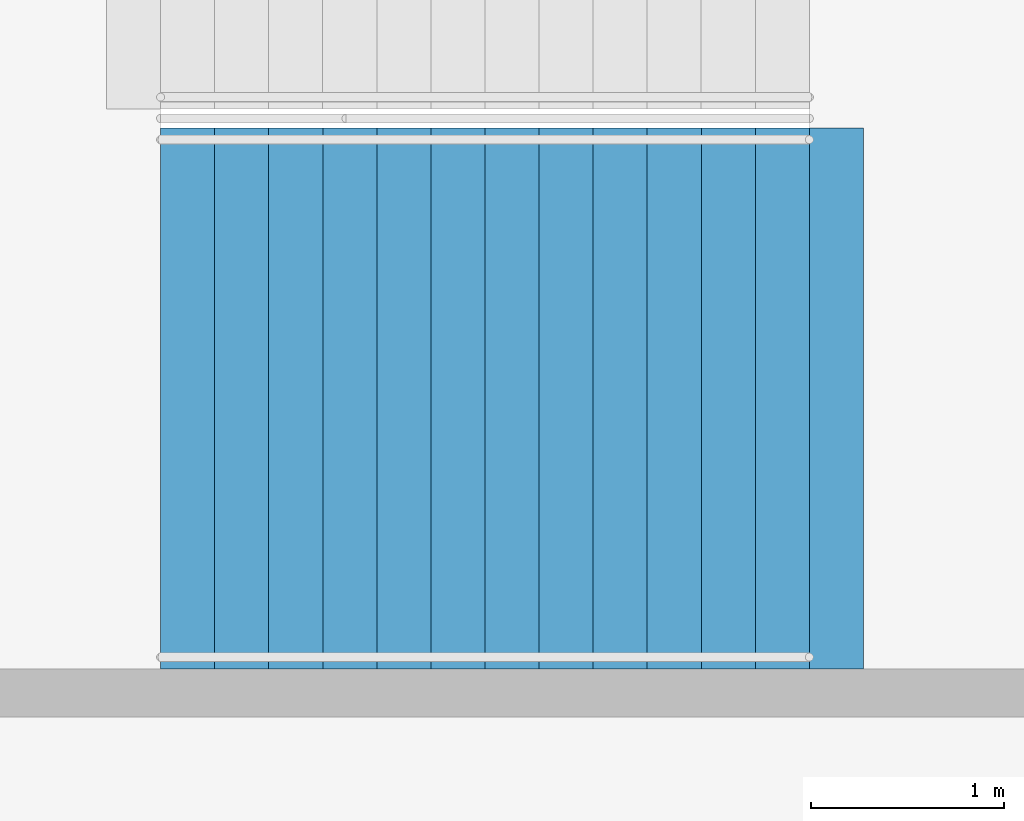
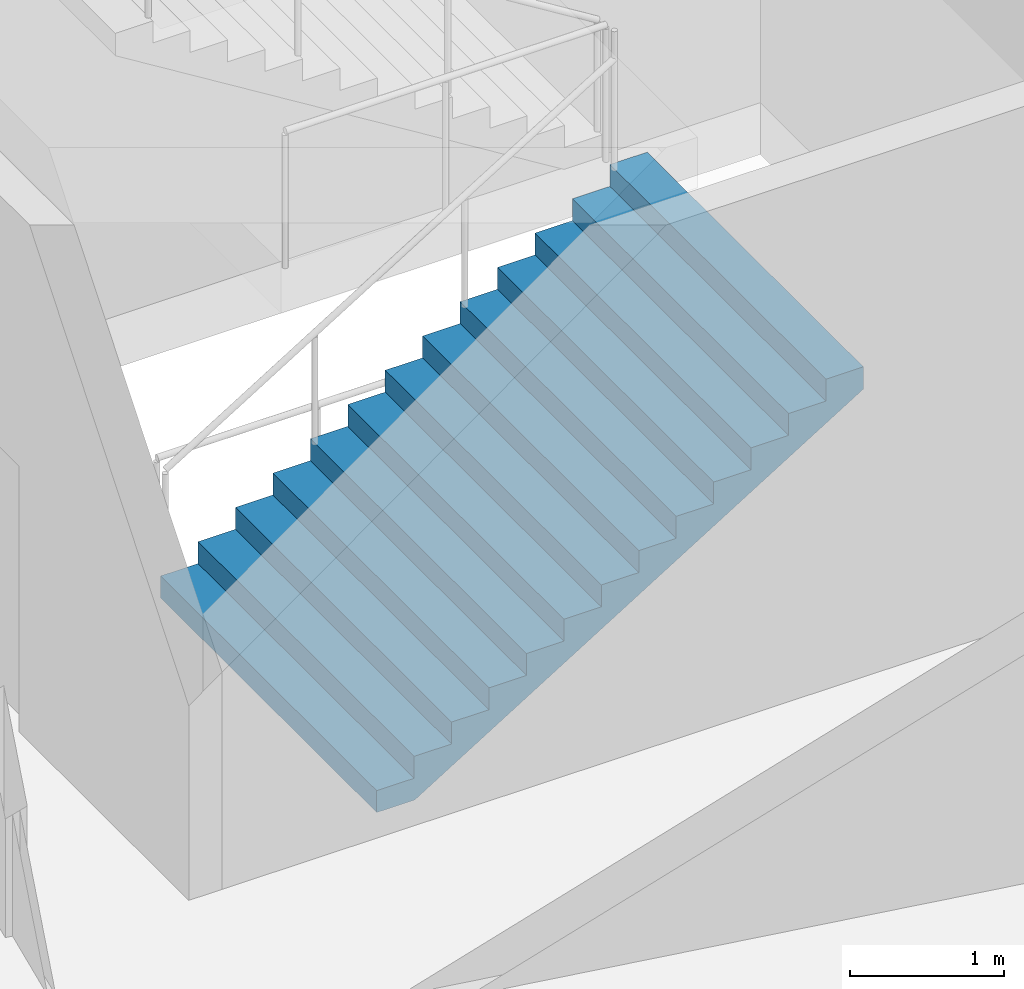
# One storey, part 141 of 199: 1 stair flight, 1 element without a shape of its own.
"""IFC4 building model written with IfcOpenShell, lengths in metres."""

import ifcopenshell
import ifcopenshell.guid

model = None  # the IFC model being written
_history = None  # IfcOwnerHistory: only IFC2X3 demands one
_inside = {}  # id of a spatial element -> (the spatial element, [elements in it])
_under = {}  # id of a project, library or spatial element -> (it, [spatial elements below it])
_declared = {}  # id of a project -> (the project, [libraries it declares])
_typed = {}  # id of a type object -> (the type object, [elements of that type])
_made_of = {}  # id of a material, layer set ... -> (it, [elements and type objects made of it])


def new_model(schema):
    """Start an empty IFC model of exactly this schema.

    Asked for "IFC4X3", IfcOpenShell would pick the latest addendum, in which some entities
    have other attributes; the version numbers below select the first issue.
    IFC2X3 requires an IfcOwnerHistory on every rooted entity: one is made here for all.
    """
    global model, _history
    if schema == "IFC4X3":
        model = ifcopenshell.file(schema_version=(4, 3, 0, 0))
    else:
        model = ifcopenshell.file(schema=schema)
    _inside.clear()
    _under.clear()
    _declared.clear()
    _typed.clear()
    _made_of.clear()
    _history = None
    if model.schema == "IFC2X3":
        org = make("IfcOrganization", Name="unknown")
        user = make(
            "IfcPersonAndOrganization",
            ThePerson=make("IfcPerson", FamilyName="unknown"),
            TheOrganization=org,
        )
        app = make(
            "IfcApplication",
            ApplicationDeveloper=org,
            Version="unknown",
            ApplicationFullName="unknown",
            ApplicationIdentifier="unknown",
        )
        _history = make(
            "IfcOwnerHistory",
            OwningUser=user,
            OwningApplication=app,
            ChangeAction="ADDED",
            CreationDate=0,
        )
    return model


def make(cls, **values):
    """One entity of the class cls with the attributes given. An attribute that is None is left unset."""
    return model.create_entity(
        cls, **{name: value for name, value in values.items() if value is not None}
    )


def rooted(cls, **values):
    """An entity with a GlobalId (a new one), such as an element, a storey or a relation."""
    return make(cls, GlobalId=ifcopenshell.guid.new(), OwnerHistory=_history, **values)


def si_unit(unit_type, name, prefix=None):
    """IfcSIUnit, for example si_unit("LENGTHUNIT", "METRE", prefix="MILLI")."""
    return make("IfcSIUnit", UnitType=unit_type, Prefix=prefix, Name=name)


def assignment(units):
    """IfcUnitAssignment: the units of a project."""
    return None if units is None else make("IfcUnitAssignment", Units=units)


def point(xyz):
    """IfcCartesianPoint."""
    return None if xyz is None else make("IfcCartesianPoint", Coordinates=xyz)


def direction(xyz):
    """IfcDirection."""
    return None if xyz is None else make("IfcDirection", DirectionRatios=xyz)


def frame(location, z_axis=None, x_axis=None):
    """IfcAxis2Placement3D, a coordinate frame: its origin and axes. An axis left out is left unset."""
    return make(
        "IfcAxis2Placement3D",
        Location=point(location),
        Axis=direction(z_axis),
        RefDirection=direction(x_axis),
    )


def origin():
    """The frame at (0, 0, 0) with its axes left unset."""
    return frame((0.0, 0.0, 0.0))


def place(relative_to, where):
    """IfcLocalPlacement: puts the frame where relative to a parent placement (None: the world)."""
    return make(
        "IfcLocalPlacement", PlacementRelTo=relative_to, RelativePlacement=where
    )


def context(
    kind, dimensions, precision=None, world=None, true_north=None, identifier=None
):
    """IfcGeometricRepresentationContext, for example the 3D "Model" context."""
    return make(
        "IfcGeometricRepresentationContext",
        ContextIdentifier=identifier,
        ContextType=kind,
        CoordinateSpaceDimension=dimensions,
        Precision=precision,
        WorldCoordinateSystem=world,
        TrueNorth=true_north,
    )


def subcontext(parent, identifier, kind, view, scale=None):
    """IfcGeometricRepresentationSubContext, for example "Body" below "Model"."""
    return make(
        "IfcGeometricRepresentationSubContext",
        ContextIdentifier=identifier,
        ContextType=kind,
        ParentContext=parent,
        TargetScale=scale,
        TargetView=view,
    )


def project(units=None, contexts=None):
    """IfcProject with its units and contexts."""
    return rooted(
        "IfcProject",
        Name="project",
        RepresentationContexts=contexts,
        UnitsInContext=assignment(units),
    )


def spatial(cls, under=None, at=None, **own):
    """A site, building, storey or space (cls), placed at a placement, below another one or the project."""
    s = rooted(cls, ObjectPlacement=at, **own)
    if under is not None:
        _under.setdefault(under.id(), (under, []))[1].append(s)
    return s


def faces_of(points, faces, orient=None, outer=None):
    """IfcFace entities. A face is a list of loops; a loop is a list of indices into points, from 0.

    orient and outer hold one flag for each loop. By default every Orientation is true, the
    first loop of a face is its IfcFaceOuterBound and the others are IfcFaceBound.
    """
    made = []
    for i, loops in enumerate(faces):
        bounds = []
        for j, loop in enumerate(loops):
            is_outer = j == 0 if outer is None else outer[i][j]
            bounds.append(
                make(
                    "IfcFaceOuterBound" if is_outer else "IfcFaceBound",
                    Bound=make("IfcPolyLoop", Polygon=[points[k] for k in loop]),
                    Orientation=True if orient is None else orient[i][j],
                )
            )
        made.append(make("IfcFace", Bounds=bounds))
    return made


def faceted_brep(points, faces, orient=None, outer=None, voids=None):
    """IfcFacetedBrep: a solid bounded by flat faces; with voids (closed shells), ...WithVoids."""
    shared = [point(p) for p in points]
    hull = make("IfcClosedShell", CfsFaces=faces_of(shared, faces, orient, outer))
    if voids is None:
        return make("IfcFacetedBrep", Outer=hull)
    return make(
        "IfcFacetedBrepWithVoids",
        Outer=hull,
        Voids=[
            make(cls, CfsFaces=faces_of(shared, fs, o, b)) for cls, fs, o, b in voids
        ],
    )


def shape(context_of_items, identifier, shape_type, items):
    """IfcShapeRepresentation: the items that make up one representation, for example the "Body"."""
    return make(
        "IfcShapeRepresentation",
        ContextOfItems=context_of_items,
        RepresentationIdentifier=identifier,
        RepresentationType=shape_type,
        Items=items,
    )


def material(Name=None, Category=None):
    """IfcMaterial."""
    return make("IfcMaterial", Name=Name, Category=Category)


def made_of(thing, what):
    """Note that an element or type object is made of a material, layer set ...; save() writes the relation."""
    if what is not None:
        _made_of.setdefault(what.id(), (what, []))[1].append(thing)
    return thing


def type_object(cls, material=None, **own):
    """A type object (cls), such as IfcWallType, which elements share."""
    return made_of(rooted(cls, **own), material)


def element(
    cls,
    number,
    at=None,
    inside=None,
    cuts=None,
    type_object=None,
    material=None,
    context=None,
    identifier="Body",
    shape_type=None,
    held_by="IfcProductDefinitionShape",
    body=None,
    shapes=None,
    **own,
):
    """One element of the class cls, such as IfcWall. Its Tag is "e" and its number.

    at: its placement. inside: the storey or other place that contains it. cuts: it is an
    opening in that element (IfcRelVoidsElement). A single representation is given by context,
    identifier, shape_type and body (its items); several are given by shapes. held_by: the class
    of the entity that holds the representations. save() writes the other relations.
    """
    e = rooted(cls, Tag="e%d" % number, ObjectPlacement=at, **own)
    if body is not None:
        shapes = [shape(context, identifier, shape_type, body)]
    if shapes is not None:
        e.Representation = make(held_by, Representations=shapes)
    if inside is not None:
        _inside.setdefault(inside.id(), (inside, []))[1].append(e)
    if cuts is not None:
        rooted(
            "IfcRelVoidsElement", RelatingBuildingElement=cuts, RelatedOpeningElement=e
        )
    if type_object is not None:
        _typed.setdefault(type_object.id(), (type_object, []))[1].append(e)
    return made_of(e, material)


def aggregate(whole, parts):
    """IfcRelAggregates: a whole, such as a stair, and the parts it consists of."""
    return rooted("IfcRelAggregates", RelatingObject=whole, RelatedObjects=parts)


def save(model, path):
    """Write the relations noted so far, then the file.

    IfcRelAggregates (storeys below a building ...), IfcRelContainedInSpatialStructure (elements
    in a storey), IfcRelDefinesByType, IfcRelAssociatesMaterial and IfcRelDeclares: one each for
    every whole, place, type object, material and project.
    """
    for whole, parts in _under.values():
        aggregate(whole, parts)
    for where, things in _inside.values():
        rooted(
            "IfcRelContainedInSpatialStructure",
            RelatedElements=things,
            RelatingStructure=where,
        )
    for kind, things in _typed.values():
        rooted("IfcRelDefinesByType", RelatedObjects=things, RelatingType=kind)
    for what, things in _made_of.values():
        rooted("IfcRelAssociatesMaterial", RelatedObjects=things, RelatingMaterial=what)
    for by, libraries in _declared.values():
        rooted("IfcRelDeclares", RelatingContext=by, RelatedDefinitions=libraries)
    model.write(path)


model = new_model("IFC4")

# Units and contexts
model_context = context("Model", 3, precision=1e-05, world=origin(), true_north=direction((0.0, 1.0)))
body_context = subcontext(model_context, "Body", "Model", "MODEL_VIEW")
ifc_project = project(units=[si_unit("LENGTHUNIT", "METRE"), si_unit("AREAUNIT", "SQUARE_METRE"), si_unit("VOLUMEUNIT", "CUBIC_METRE"), si_unit("PLANEANGLEUNIT", "RADIAN"), si_unit("MASSUNIT", "GRAM", prefix="KILO")], contexts=[model_context])

# Site, building, storey
site_placement = place(None, origin())
site = spatial("IfcSite", under=ifc_project, at=site_placement, CompositionType="ELEMENT")
building_placement = place(site_placement, origin())
building = spatial("IfcBuilding", under=site, at=building_placement, Name="Ogive Plaza Stadium", CompositionType="ELEMENT")
storey_placement = place(building_placement, frame((0.0, 0.0, 4.5)))
storey = spatial("IfcBuildingStorey", under=building, at=storey_placement, Name="L01", CompositionType="ELEMENT", Elevation=4.5)

# Stair, stair flight
ifc_material_1 = material(Name="Concrete C40/50", Category="concrete")
stair_type = type_object("IfcStairType", Name="Exit stair", PredefinedType="STRAIGHT_RUN_STAIR", material=ifc_material_1)
stair_placement = place(storey_placement, origin())
stair = element("IfcStair", 1, at=stair_placement, inside=storey, type_object=stair_type, Name="Exit stair ST08A L01 to L02", PredefinedType="STRAIGHT_RUN_STAIR")
ifc_material_2 = material(Name="Concrete C40/50", Category="concrete")
stair_flight_type = type_object("IfcStairFlightType", Name="Exit stair flight", PredefinedType="STRAIGHT", material=ifc_material_2)
stair_flight_placement = place(storey_placement, frame((76.35009765625, -56.925048828125, 0.0), z_axis=(0.0, 0.0, 1.0), x_axis=(1.0, 0.0, 0.0)))
stair_flight = element("IfcStairFlight", 2, at=stair_flight_placement, type_object=stair_flight_type, Name="ST08A flight 1", NumberOfRisers=13, NumberOfTreads=12, PredefinedType="STRAIGHT", RiserHeight=0.173076923, TreadLength=0.28, context=body_context, shape_type="Brep", body=[
    faceted_brep([(0.28515625, -1.39990234375, 0.0), (3.639892578125, -1.39990234375, 2.07373046875), (3.639892578125, -1.39990234375, 2.25), (3.360107421875, -1.39990234375, 2.25), (3.360107421875, -1.39990234375, 2.076904296875), (3.080078125, -1.39990234375, 2.076904296875), (3.080078125, -1.39990234375, 1.90380859375), (2.800048828125, -1.39990234375, 1.90380859375), (2.800048828125, -1.39990234375, 1.730712890625), (2.52001953125, -1.39990234375, 1.730712890625), (2.52001953125, -1.39990234375, 1.5576171875), (2.239990234375, -1.39990234375, 1.5576171875), (2.239990234375, -1.39990234375, 1.384521484375), (1.9599609375, -1.39990234375, 1.384521484375), (1.9599609375, -1.39990234375, 1.21142578125), (1.679931640625, -1.39990234375, 1.21142578125), (1.679931640625, -1.39990234375, 1.03857421875), (1.39990234375, -1.39990234375, 1.03857421875), (1.39990234375, -1.39990234375, 0.865478515625), (1.1201171875, -1.39990234375, 0.865478515625), (1.1201171875, -1.39990234375, 0.6923828125), (0.840087890625, -1.39990234375, 0.6923828125), (0.840087890625, -1.39990234375, 0.519287109375), (0.56005859375, -1.39990234375, 0.519287109375), (0.56005859375, -1.39990234375, 0.34619140625), (0.280029296875, -1.39990234375, 0.34619140625), (0.280029296875, -1.39990234375, 0.173095703125), (0.0, -1.39990234375, 0.173095703125), (0.0, -1.39990234375, 0.0), (0.0, 1.39990234375, 0.0), (0.0, 1.39990234375, 0.173095703125), (0.280029296875, 1.39990234375, 0.173095703125), (0.280029296875, 1.39990234375, 0.34619140625), (0.56005859375, 1.39990234375, 0.34619140625), (0.56005859375, 1.39990234375, 0.519287109375), (0.840087890625, 1.39990234375, 0.519287109375), (0.840087890625, 1.39990234375, 0.6923828125), (1.1201171875, 1.39990234375, 0.6923828125), (1.1201171875, 1.39990234375, 0.865478515625), (1.39990234375, 1.39990234375, 0.865478515625), (1.39990234375, 1.39990234375, 1.03857421875), (1.679931640625, 1.39990234375, 1.03857421875), (1.679931640625, 1.39990234375, 1.21142578125), (1.9599609375, 1.39990234375, 1.21142578125), (1.9599609375, 1.39990234375, 1.384521484375), (2.239990234375, 1.39990234375, 1.384521484375), (2.239990234375, 1.39990234375, 1.5576171875), (2.52001953125, 1.39990234375, 1.5576171875), (2.52001953125, 1.39990234375, 1.730712890625), (2.800048828125, 1.39990234375, 1.730712890625), (2.800048828125, 1.39990234375, 1.90380859375), (3.080078125, 1.39990234375, 1.90380859375), (3.080078125, 1.39990234375, 2.076904296875), (3.360107421875, 1.39990234375, 2.076904296875), (3.360107421875, 1.39990234375, 2.25), (3.639892578125, 1.39990234375, 2.25), (3.639892578125, 1.39990234375, 2.07373046875), (0.28515625, 1.39990234375, 0.0), (0.28515625, -1.0888671875, 0.0), (3.639892578125, -1.0888671875, 2.07373046875), (0.28515625, -0.77783203125, 0.0), (3.639892578125, -0.77783203125, 2.07373046875), (0.28515625, -0.466796875, 0.0), (3.639892578125, -0.466796875, 2.07373046875), (0.28515625, -0.155517578125, 0.0), (3.639892578125, -0.155517578125, 2.07373046875), (0.28515625, 0.155517578125, 0.0), (3.639892578125, 0.155517578125, 2.07373046875), (0.28515625, 0.466796875, 0.0), (3.639892578125, 0.466796875, 2.07373046875), (0.28515625, 0.77783203125, 0.0), (3.639892578125, 0.77783203125, 2.07373046875), (0.28515625, 1.0888671875, 0.0), (3.639892578125, 1.0888671875, 2.07373046875), (3.639892578125, -1.0888671875, 2.25), (3.639892578125, -0.77783203125, 2.25), (3.639892578125, -0.466796875, 2.25), (3.639892578125, -0.155517578125, 2.25), (3.639892578125, 0.155517578125, 2.25), (3.639892578125, 0.466796875, 2.25), (3.639892578125, 0.77783203125, 2.25), (3.639892578125, 1.0888671875, 2.25), (3.360107421875, -1.0888671875, 2.25), (3.360107421875, -0.77783203125, 2.25), (3.360107421875, -0.466796875, 2.25), (3.360107421875, -0.155517578125, 2.25), (3.360107421875, 0.155517578125, 2.25), (3.360107421875, 0.466796875, 2.25), (3.360107421875, 0.77783203125, 2.25), (3.360107421875, 1.0888671875, 2.25), (3.360107421875, -1.0888671875, 2.076904296875), (3.360107421875, -0.77783203125, 2.076904296875), (3.360107421875, -0.466796875, 2.076904296875), (3.360107421875, -0.155517578125, 2.076904296875), (3.360107421875, 0.155517578125, 2.076904296875), (3.360107421875, 0.466796875, 2.076904296875), (3.360107421875, 0.77783203125, 2.076904296875), (3.360107421875, 1.0888671875, 2.076904296875), (3.080078125, -1.0888671875, 2.076904296875), (3.080078125, -0.77783203125, 2.076904296875), (3.080078125, -0.466796875, 2.076904296875), (3.080078125, -0.155517578125, 2.076904296875), (3.080078125, 0.155517578125, 2.076904296875), (3.080078125, 0.466796875, 2.076904296875), (3.080078125, 0.77783203125, 2.076904296875), (3.080078125, 1.0888671875, 2.076904296875), (3.080078125, -1.0888671875, 1.90380859375), (3.080078125, -0.77783203125, 1.90380859375), (3.080078125, -0.466796875, 1.90380859375), (3.080078125, -0.155517578125, 1.90380859375), (3.080078125, 0.155517578125, 1.90380859375), (3.080078125, 0.466796875, 1.90380859375), (3.080078125, 0.77783203125, 1.90380859375), (3.080078125, 1.0888671875, 1.90380859375), (2.800048828125, -1.0888671875, 1.90380859375), (2.800048828125, -0.77783203125, 1.90380859375), (2.800048828125, -0.466796875, 1.90380859375), (2.800048828125, -0.155517578125, 1.90380859375), (2.800048828125, 0.155517578125, 1.90380859375), (2.800048828125, 0.466796875, 1.90380859375), (2.800048828125, 0.77783203125, 1.90380859375), (2.800048828125, 1.0888671875, 1.90380859375), (2.800048828125, -1.0888671875, 1.730712890625), (2.800048828125, -0.77783203125, 1.730712890625), (2.800048828125, -0.466796875, 1.730712890625), (2.800048828125, -0.155517578125, 1.730712890625), (2.800048828125, 0.155517578125, 1.730712890625), (2.800048828125, 0.466796875, 1.730712890625), (2.800048828125, 0.77783203125, 1.730712890625), (2.800048828125, 1.0888671875, 1.730712890625), (2.52001953125, -1.0888671875, 1.730712890625), (2.52001953125, -0.77783203125, 1.730712890625), (2.52001953125, -0.466796875, 1.730712890625), (2.52001953125, -0.155517578125, 1.730712890625), (2.52001953125, 0.155517578125, 1.730712890625), (2.52001953125, 0.466796875, 1.730712890625), (2.52001953125, 0.77783203125, 1.730712890625), (2.52001953125, 1.0888671875, 1.730712890625), (2.52001953125, -1.0888671875, 1.5576171875), (2.52001953125, -0.77783203125, 1.5576171875), (2.52001953125, -0.466796875, 1.5576171875), (2.52001953125, -0.155517578125, 1.5576171875), (2.52001953125, 0.155517578125, 1.5576171875), (2.52001953125, 0.466796875, 1.5576171875), (2.52001953125, 0.77783203125, 1.5576171875), (2.52001953125, 1.0888671875, 1.5576171875), (2.239990234375, -1.0888671875, 1.5576171875), (2.239990234375, -0.77783203125, 1.5576171875), (2.239990234375, -0.466796875, 1.5576171875), (2.239990234375, -0.155517578125, 1.5576171875), (2.239990234375, 0.155517578125, 1.5576171875), (2.239990234375, 0.466796875, 1.5576171875), (2.239990234375, 0.77783203125, 1.5576171875), (2.239990234375, 1.0888671875, 1.5576171875), (2.239990234375, -1.0888671875, 1.384521484375), (2.239990234375, -0.77783203125, 1.384521484375), (2.239990234375, -0.466796875, 1.384521484375), (2.239990234375, -0.155517578125, 1.384521484375), (2.239990234375, 0.155517578125, 1.384521484375), (2.239990234375, 0.466796875, 1.384521484375), (2.239990234375, 0.77783203125, 1.384521484375), (2.239990234375, 1.0888671875, 1.384521484375), (1.9599609375, -1.0888671875, 1.384521484375), (1.9599609375, -0.77783203125, 1.384521484375), (1.9599609375, -0.466796875, 1.384521484375), (1.9599609375, -0.155517578125, 1.384521484375), (1.9599609375, 0.155517578125, 1.384521484375), (1.9599609375, 0.466796875, 1.384521484375), (1.9599609375, 0.77783203125, 1.384521484375), (1.9599609375, 1.0888671875, 1.384521484375), (1.9599609375, -1.0888671875, 1.21142578125), (1.9599609375, -0.77783203125, 1.21142578125), (1.9599609375, -0.466796875, 1.21142578125), (1.9599609375, -0.155517578125, 1.21142578125), (1.9599609375, 0.155517578125, 1.21142578125), (1.9599609375, 0.466796875, 1.21142578125), (1.9599609375, 0.77783203125, 1.21142578125), (1.9599609375, 1.0888671875, 1.21142578125), (1.679931640625, -1.0888671875, 1.21142578125), (1.679931640625, -0.77783203125, 1.21142578125), (1.679931640625, -0.466796875, 1.21142578125), (1.679931640625, -0.155517578125, 1.21142578125), (1.679931640625, 0.155517578125, 1.21142578125), (1.679931640625, 0.466796875, 1.21142578125), (1.679931640625, 0.77783203125, 1.21142578125), (1.679931640625, 1.0888671875, 1.21142578125), (1.679931640625, -1.0888671875, 1.03857421875), (1.679931640625, -0.77783203125, 1.03857421875), (1.679931640625, -0.466796875, 1.03857421875), (1.679931640625, -0.155517578125, 1.03857421875), (1.679931640625, 0.155517578125, 1.03857421875), (1.679931640625, 0.466796875, 1.03857421875), (1.679931640625, 0.77783203125, 1.03857421875), (1.679931640625, 1.0888671875, 1.03857421875), (1.39990234375, -1.0888671875, 1.03857421875), (1.39990234375, -0.77783203125, 1.03857421875), (1.39990234375, -0.466796875, 1.03857421875), (1.39990234375, -0.155517578125, 1.03857421875), (1.39990234375, 0.155517578125, 1.03857421875), (1.39990234375, 0.466796875, 1.03857421875), (1.39990234375, 0.77783203125, 1.03857421875), (1.39990234375, 1.0888671875, 1.03857421875), (1.39990234375, -1.0888671875, 0.865478515625), (1.39990234375, -0.77783203125, 0.865478515625), (1.39990234375, -0.466796875, 0.865478515625), (1.39990234375, -0.155517578125, 0.865478515625), (1.39990234375, 0.155517578125, 0.865478515625), (1.39990234375, 0.466796875, 0.865478515625), (1.39990234375, 0.77783203125, 0.865478515625), (1.39990234375, 1.0888671875, 0.865478515625), (1.1201171875, -1.0888671875, 0.865478515625), (1.1201171875, -0.77783203125, 0.865478515625), (1.1201171875, -0.466796875, 0.865478515625), (1.1201171875, -0.155517578125, 0.865478515625), (1.1201171875, 0.155517578125, 0.865478515625), (1.1201171875, 0.466796875, 0.865478515625), (1.1201171875, 0.77783203125, 0.865478515625), (1.1201171875, 1.0888671875, 0.865478515625), (1.1201171875, -1.0888671875, 0.6923828125), (1.1201171875, -0.77783203125, 0.6923828125), (1.1201171875, -0.466796875, 0.6923828125), (1.1201171875, -0.155517578125, 0.6923828125), (1.1201171875, 0.155517578125, 0.6923828125), (1.1201171875, 0.466796875, 0.6923828125), (1.1201171875, 0.77783203125, 0.6923828125), (1.1201171875, 1.0888671875, 0.6923828125), (0.840087890625, -1.0888671875, 0.6923828125), (0.840087890625, -0.77783203125, 0.6923828125), (0.840087890625, -0.466796875, 0.6923828125), (0.840087890625, -0.155517578125, 0.6923828125), (0.840087890625, 0.155517578125, 0.6923828125), (0.840087890625, 0.466796875, 0.6923828125), (0.840087890625, 0.77783203125, 0.6923828125), (0.840087890625, 1.0888671875, 0.6923828125), (0.840087890625, -1.0888671875, 0.519287109375), (0.840087890625, -0.77783203125, 0.519287109375), (0.840087890625, -0.466796875, 0.519287109375), (0.840087890625, -0.155517578125, 0.519287109375), (0.840087890625, 0.155517578125, 0.519287109375), (0.840087890625, 0.466796875, 0.519287109375), (0.840087890625, 0.77783203125, 0.519287109375), (0.840087890625, 1.0888671875, 0.519287109375), (0.56005859375, -1.0888671875, 0.519287109375), (0.56005859375, -0.77783203125, 0.519287109375), (0.56005859375, -0.466796875, 0.519287109375), (0.56005859375, -0.155517578125, 0.519287109375), (0.56005859375, 0.155517578125, 0.519287109375), (0.56005859375, 0.466796875, 0.519287109375), (0.56005859375, 0.77783203125, 0.519287109375), (0.56005859375, 1.0888671875, 0.519287109375), (0.56005859375, -1.0888671875, 0.34619140625), (0.56005859375, -0.77783203125, 0.34619140625), (0.56005859375, -0.466796875, 0.34619140625), (0.56005859375, -0.155517578125, 0.34619140625), (0.56005859375, 0.155517578125, 0.34619140625), (0.56005859375, 0.466796875, 0.34619140625), (0.56005859375, 0.77783203125, 0.34619140625), (0.56005859375, 1.0888671875, 0.34619140625), (0.280029296875, -1.0888671875, 0.34619140625), (0.280029296875, -0.77783203125, 0.34619140625), (0.280029296875, -0.466796875, 0.34619140625), (0.280029296875, -0.155517578125, 0.34619140625), (0.280029296875, 0.155517578125, 0.34619140625), (0.280029296875, 0.466796875, 0.34619140625), (0.280029296875, 0.77783203125, 0.34619140625), (0.280029296875, 1.0888671875, 0.34619140625), (0.280029296875, -1.0888671875, 0.173095703125), (0.280029296875, -0.77783203125, 0.173095703125), (0.280029296875, -0.466796875, 0.173095703125), (0.280029296875, -0.155517578125, 0.173095703125), (0.280029296875, 0.155517578125, 0.173095703125), (0.280029296875, 0.466796875, 0.173095703125), (0.280029296875, 0.77783203125, 0.173095703125), (0.280029296875, 1.0888671875, 0.173095703125), (0.0, -1.0888671875, 0.173095703125), (0.0, -0.77783203125, 0.173095703125), (0.0, -0.466796875, 0.173095703125), (0.0, -0.155517578125, 0.173095703125), (0.0, 0.155517578125, 0.173095703125), (0.0, 0.466796875, 0.173095703125), (0.0, 0.77783203125, 0.173095703125), (0.0, 1.0888671875, 0.173095703125), (0.0, -1.0888671875, 0.0), (0.0, -0.77783203125, 0.0), (0.0, -0.466796875, 0.0), (0.0, -0.155517578125, 0.0), (0.0, 0.155517578125, 0.0), (0.0, 0.466796875, 0.0), (0.0, 0.77783203125, 0.0), (0.0, 1.0888671875, 0.0)], [[[0, 1, 2, 3, 4, 5, 6, 7, 8, 9, 10, 11, 12, 13, 14, 15, 16, 17, 18, 19, 20, 21, 22, 23, 24, 25, 26, 27, 28]], [[29, 30, 31, 32, 33, 34, 35, 36, 37, 38, 39, 40, 41, 42, 43, 44, 45, 46, 47, 48, 49, 50, 51, 52, 53, 54, 55, 56, 57]], [[0, 58, 59, 1]], [[58, 60, 61, 59]], [[60, 62, 63, 61]], [[62, 64, 65, 63]], [[64, 66, 67, 65]], [[66, 68, 69, 67]], [[68, 70, 71, 69]], [[70, 72, 73, 71]], [[72, 57, 56, 73]], [[1, 59, 74, 2]], [[59, 61, 75, 74]], [[61, 63, 76, 75]], [[63, 65, 77, 76]], [[65, 67, 78, 77]], [[67, 69, 79, 78]], [[69, 71, 80, 79]], [[71, 73, 81, 80]], [[73, 56, 55, 81]], [[2, 74, 82, 3]], [[74, 75, 83, 82]], [[75, 76, 84, 83]], [[76, 77, 85, 84]], [[77, 78, 86, 85]], [[78, 79, 87, 86]], [[79, 80, 88, 87]], [[80, 81, 89, 88]], [[81, 55, 54, 89]], [[3, 82, 90, 4]], [[82, 83, 91, 90]], [[83, 84, 92, 91]], [[84, 85, 93, 92]], [[85, 86, 94, 93]], [[86, 87, 95, 94]], [[87, 88, 96, 95]], [[88, 89, 97, 96]], [[89, 54, 53, 97]], [[4, 90, 98, 5]], [[90, 91, 99, 98]], [[91, 92, 100, 99]], [[92, 93, 101, 100]], [[93, 94, 102, 101]], [[94, 95, 103, 102]], [[95, 96, 104, 103]], [[96, 97, 105, 104]], [[97, 53, 52, 105]], [[5, 98, 106, 6]], [[98, 99, 107, 106]], [[99, 100, 108, 107]], [[100, 101, 109, 108]], [[101, 102, 110, 109]], [[102, 103, 111, 110]], [[103, 104, 112, 111]], [[104, 105, 113, 112]], [[105, 52, 51, 113]], [[6, 106, 114, 7]], [[106, 107, 115, 114]], [[107, 108, 116, 115]], [[108, 109, 117, 116]], [[109, 110, 118, 117]], [[110, 111, 119, 118]], [[111, 112, 120, 119]], [[112, 113, 121, 120]], [[113, 51, 50, 121]], [[7, 114, 122, 8]], [[114, 115, 123, 122]], [[115, 116, 124, 123]], [[116, 117, 125, 124]], [[117, 118, 126, 125]], [[118, 119, 127, 126]], [[119, 120, 128, 127]], [[120, 121, 129, 128]], [[121, 50, 49, 129]], [[8, 122, 130, 9]], [[122, 123, 131, 130]], [[123, 124, 132, 131]], [[124, 125, 133, 132]], [[125, 126, 134, 133]], [[126, 127, 135, 134]], [[127, 128, 136, 135]], [[128, 129, 137, 136]], [[129, 49, 48, 137]], [[9, 130, 138, 10]], [[130, 131, 139, 138]], [[131, 132, 140, 139]], [[132, 133, 141, 140]], [[133, 134, 142, 141]], [[134, 135, 143, 142]], [[135, 136, 144, 143]], [[136, 137, 145, 144]], [[137, 48, 47, 145]], [[10, 138, 146, 11]], [[138, 139, 147, 146]], [[139, 140, 148, 147]], [[140, 141, 149, 148]], [[141, 142, 150, 149]], [[142, 143, 151, 150]], [[143, 144, 152, 151]], [[144, 145, 153, 152]], [[145, 47, 46, 153]], [[11, 146, 154, 12]], [[146, 147, 155, 154]], [[147, 148, 156, 155]], [[148, 149, 157, 156]], [[149, 150, 158, 157]], [[150, 151, 159, 158]], [[151, 152, 160, 159]], [[152, 153, 161, 160]], [[153, 46, 45, 161]], [[12, 154, 162, 13]], [[154, 155, 163, 162]], [[155, 156, 164, 163]], [[156, 157, 165, 164]], [[157, 158, 166, 165]], [[158, 159, 167, 166]], [[159, 160, 168, 167]], [[160, 161, 169, 168]], [[161, 45, 44, 169]], [[13, 162, 170, 14]], [[162, 163, 171, 170]], [[163, 164, 172, 171]], [[164, 165, 173, 172]], [[165, 166, 174, 173]], [[166, 167, 175, 174]], [[167, 168, 176, 175]], [[168, 169, 177, 176]], [[169, 44, 43, 177]], [[14, 170, 178, 15]], [[170, 171, 179, 178]], [[171, 172, 180, 179]], [[172, 173, 181, 180]], [[173, 174, 182, 181]], [[174, 175, 183, 182]], [[175, 176, 184, 183]], [[176, 177, 185, 184]], [[177, 43, 42, 185]], [[15, 178, 186, 16]], [[178, 179, 187, 186]], [[179, 180, 188, 187]], [[180, 181, 189, 188]], [[181, 182, 190, 189]], [[182, 183, 191, 190]], [[183, 184, 192, 191]], [[184, 185, 193, 192]], [[185, 42, 41, 193]], [[16, 186, 194, 17]], [[186, 187, 195, 194]], [[187, 188, 196, 195]], [[188, 189, 197, 196]], [[189, 190, 198, 197]], [[190, 191, 199, 198]], [[191, 192, 200, 199]], [[192, 193, 201, 200]], [[193, 41, 40, 201]], [[17, 194, 202, 18]], [[194, 195, 203, 202]], [[195, 196, 204, 203]], [[196, 197, 205, 204]], [[197, 198, 206, 205]], [[198, 199, 207, 206]], [[199, 200, 208, 207]], [[200, 201, 209, 208]], [[201, 40, 39, 209]], [[18, 202, 210, 19]], [[202, 203, 211, 210]], [[203, 204, 212, 211]], [[204, 205, 213, 212]], [[205, 206, 214, 213]], [[206, 207, 215, 214]], [[207, 208, 216, 215]], [[208, 209, 217, 216]], [[209, 39, 38, 217]], [[19, 210, 218, 20]], [[210, 211, 219, 218]], [[211, 212, 220, 219]], [[212, 213, 221, 220]], [[213, 214, 222, 221]], [[214, 215, 223, 222]], [[215, 216, 224, 223]], [[216, 217, 225, 224]], [[217, 38, 37, 225]], [[20, 218, 226, 21]], [[218, 219, 227, 226]], [[219, 220, 228, 227]], [[220, 221, 229, 228]], [[221, 222, 230, 229]], [[222, 223, 231, 230]], [[223, 224, 232, 231]], [[224, 225, 233, 232]], [[225, 37, 36, 233]], [[21, 226, 234, 22]], [[226, 227, 235, 234]], [[227, 228, 236, 235]], [[228, 229, 237, 236]], [[229, 230, 238, 237]], [[230, 231, 239, 238]], [[231, 232, 240, 239]], [[232, 233, 241, 240]], [[233, 36, 35, 241]], [[22, 234, 242, 23]], [[234, 235, 243, 242]], [[235, 236, 244, 243]], [[236, 237, 245, 244]], [[237, 238, 246, 245]], [[238, 239, 247, 246]], [[239, 240, 248, 247]], [[240, 241, 249, 248]], [[241, 35, 34, 249]], [[23, 242, 250, 24]], [[242, 243, 251, 250]], [[243, 244, 252, 251]], [[244, 245, 253, 252]], [[245, 246, 254, 253]], [[246, 247, 255, 254]], [[247, 248, 256, 255]], [[248, 249, 257, 256]], [[249, 34, 33, 257]], [[24, 250, 258, 25]], [[250, 251, 259, 258]], [[251, 252, 260, 259]], [[252, 253, 261, 260]], [[253, 254, 262, 261]], [[254, 255, 263, 262]], [[255, 256, 264, 263]], [[256, 257, 265, 264]], [[257, 33, 32, 265]], [[25, 258, 266, 26]], [[258, 259, 267, 266]], [[259, 260, 268, 267]], [[260, 261, 269, 268]], [[261, 262, 270, 269]], [[262, 263, 271, 270]], [[263, 264, 272, 271]], [[264, 265, 273, 272]], [[265, 32, 31, 273]], [[26, 266, 274, 27]], [[266, 267, 275, 274]], [[267, 268, 276, 275]], [[268, 269, 277, 276]], [[269, 270, 278, 277]], [[270, 271, 279, 278]], [[271, 272, 280, 279]], [[272, 273, 281, 280]], [[273, 31, 30, 281]], [[27, 274, 282, 28]], [[274, 275, 283, 282]], [[275, 276, 284, 283]], [[276, 277, 285, 284]], [[277, 278, 286, 285]], [[278, 279, 287, 286]], [[279, 280, 288, 287]], [[280, 281, 289, 288]], [[281, 30, 29, 289]], [[28, 282, 58, 0]], [[282, 283, 60, 58]], [[283, 284, 62, 60]], [[284, 285, 64, 62]], [[285, 286, 66, 64]], [[286, 287, 68, 66]], [[287, 288, 70, 68]], [[288, 289, 72, 70]], [[289, 29, 57, 72]]]),
])
aggregate(stair, [stair_flight])

save(model, "model.ifc")
